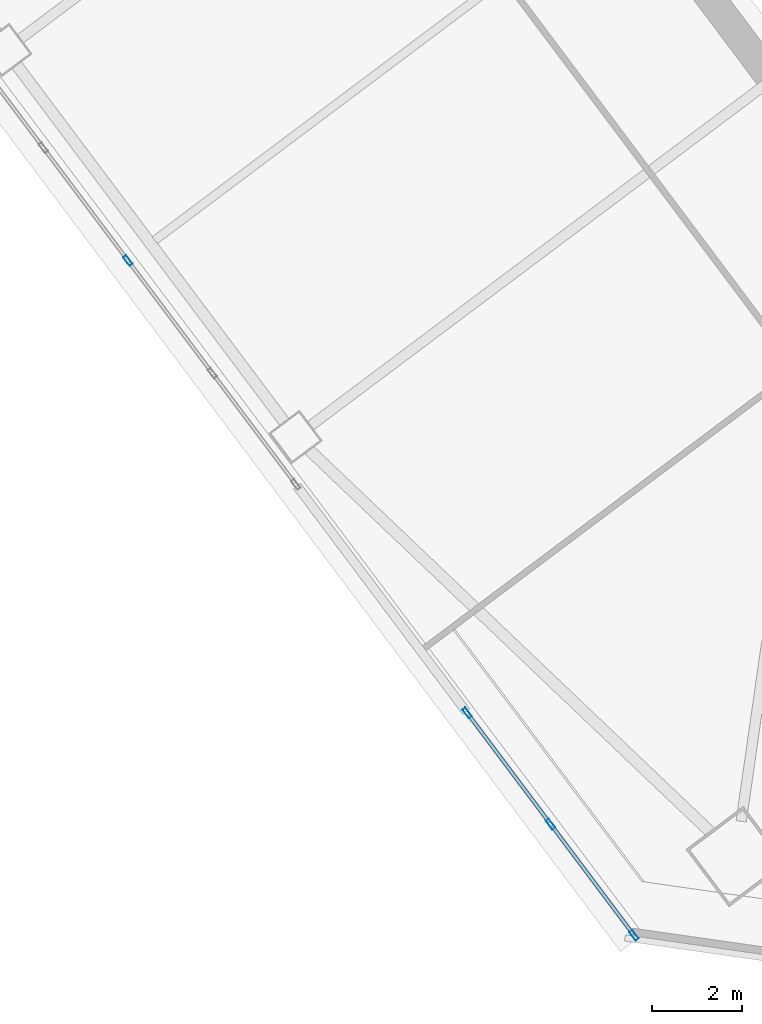
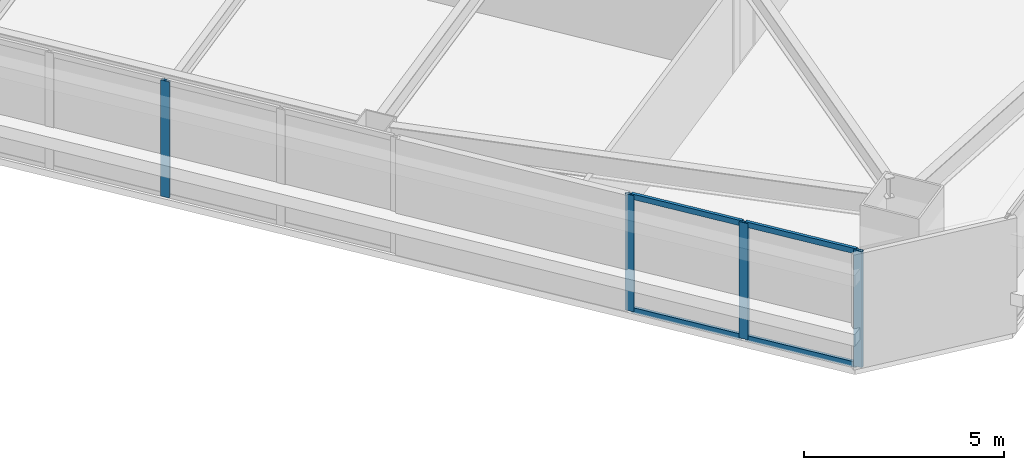
# One storey, part 18 of 47: 8 members, 2 elements without a shape of their own.
"""IFC4 building model written with IfcOpenShell, lengths in metres."""

from ifc_helpers import new_model, si_unit, direction, frame, origin, origin_2d, place, context, subcontext, project, spatial, hollow_rectangle, extrude, material, material_profile, profile_set, type_object, element, aggregate, save


model = new_model("IFC4")

# Units and contexts
model_context = context("Model", 3, precision=1e-05, world=origin(), true_north=direction((0.0, 1.0)))
body_context = subcontext(model_context, "Body", "Model", "MODEL_VIEW")
ifc_project = project(units=[si_unit("LENGTHUNIT", "METRE"), si_unit("AREAUNIT", "SQUARE_METRE"), si_unit("VOLUMEUNIT", "CUBIC_METRE"), si_unit("PLANEANGLEUNIT", "RADIAN"), si_unit("MASSUNIT", "GRAM", prefix="KILO")], contexts=[model_context])

# Site, building, storey
site_placement = place(None, origin())
site = spatial("IfcSite", under=ifc_project, at=site_placement, CompositionType="ELEMENT")
building_placement = place(site_placement, origin())
building = spatial("IfcBuilding", under=site, at=building_placement, Name="Tashvorn Skyway Center", CompositionType="ELEMENT")
storey_placement = place(building_placement, frame((0.0, 0.0, 42.35009765625)))
storey = spatial("IfcBuildingStorey", under=building, at=storey_placement, Name="L10", CompositionType="ELEMENT", Elevation=42.35009765625)

# Curtain wall, members
ifc_material = material(Name="Thermally broken bronze-anodized aluminium 6063-T6", Category="aluminium")
curtain_wall_type = type_object("IfcCurtainWallType", Name="CW-CW-Z1", PredefinedType="NOTDEFINED", material=ifc_material)
curtain_wall_1_placement = place(storey_placement, origin())
curtain_wall_1 = element("IfcCurtainWall", 1, at=curtain_wall_1_placement, inside=storey, type_object=curtain_wall_type, Name="Tower 2 L10 West Unitised Curtain Wall Glazing Group 1", PredefinedType="NOTDEFINED")
ifc_material_profile_1 = material_profile(ifc_material, hollow_rectangle(XDim=0.0849609375, YDim=0.239990234375, WallThickness=0.0048828125, at=origin_2d()), Name="ALU-MULL-85x240")
ifc_profile_set_1 = profile_set([ifc_material_profile_1], Name="Thermally broken bronze-anodized aluminium 6063-T6")
member_type_1 = type_object("IfcMemberType", Name="CWM-CW-Z1", PredefinedType="MULLION", material=ifc_profile_set_1)
member_1_placement = place(storey_placement, frame((107.95849609375, 3.922119140625, 0.0), z_axis=(0.0, 0.0, 1.0), x_axis=(-0.800001906763, -0.599997457641, 0.0)))
member_1 = element("IfcMember", 2, at=member_1_placement, type_object=member_type_1, Name="CW-Z1 mullion 1", PredefinedType="MULLION", context=body_context, shape_type="SweptSolid", body=[
    extrude(hollow_rectangle(XDim=0.0849609375, YDim=0.239990234375, WallThickness=0.0048828125, at=origin_2d()), origin(), (0.0, 0.0, 1.0), 3.5498046875),
])
member_2_placement = place(storey_placement, frame((106.095947265625, 6.4052734375, 0.0), z_axis=(0.0, 0.0, 1.0), x_axis=(-0.800001906763, -0.599997457641, 0.0)))
member_2 = element("IfcMember", 3, at=member_2_placement, type_object=member_type_1, Name="CW-Z1 mullion 2", PredefinedType="MULLION", context=body_context, shape_type="SweptSolid", body=[
    extrude(hollow_rectangle(XDim=0.0849609375, YDim=0.239990234375, WallThickness=0.0048828125, at=origin_2d()), origin(), (0.0, 0.0, 1.0), 3.5498046875),
])
member_3_placement = place(storey_placement, frame((104.2333984375, 8.888671875, 0.0), z_axis=(0.0, 0.0, 1.0), x_axis=(-0.800001906763, -0.599997457641, 0.0)))
member_3 = element("IfcMember", 4, at=member_3_placement, type_object=member_type_1, Name="CW-Z1 mullion 3", PredefinedType="MULLION", context=body_context, shape_type="SweptSolid", body=[
    extrude(hollow_rectangle(XDim=0.0849609375, YDim=0.239990234375, WallThickness=0.0048828125, at=origin_2d()), origin(), (0.0, 0.0, 1.0), 3.5498046875),
])

# Curtain wall, member
curtain_wall_2_placement = place(storey_placement, origin())
curtain_wall_2 = element("IfcCurtainWall", 5, at=curtain_wall_2_placement, inside=storey, type_object=curtain_wall_type, Name="Tower 2 L10 West Unitised Curtain Wall Glazing Group 2", PredefinedType="NOTDEFINED")
member_4_placement = place(storey_placement, frame((96.656005859375, 18.991943359375, 0.0), z_axis=(0.0, 0.0, 1.0), x_axis=(-0.800001906763, -0.599997457641, 0.0)))
member_4 = element("IfcMember", 6, at=member_4_placement, type_object=member_type_1, Name="CW-Z1 mullion 3", PredefinedType="MULLION", context=body_context, shape_type="SweptSolid", body=[
    extrude(hollow_rectangle(XDim=0.0849609375, YDim=0.239990234375, WallThickness=0.0048828125, at=origin_2d()), origin(), (0.0, 0.0, 1.0), 3.5498046875),
])
aggregate(curtain_wall_2, [member_4])

# Member
ifc_material_profile_2 = material_profile(ifc_material, hollow_rectangle(XDim=0.0849609375, YDim=0.1650390625, WallThickness=0.0048828125, at=origin_2d()), Name="ALU-TRAN-85x165")
ifc_profile_set_2 = profile_set([ifc_material_profile_2], Name="Thermally broken bronze-anodized aluminium 6063-T6")
member_type_2 = type_object("IfcMemberType", Name="CWT-CW-Z1", PredefinedType="USERDEFINED", material=ifc_profile_set_2)
member_5_placement = place(storey_placement, frame((107.93310546875, 3.9560546875, 0.04248046875), z_axis=(-0.600012938206, 0.799990296182, 0.0), x_axis=(-0.799990296182, -0.600012938206, 0.0)))
member_5 = element("IfcMember", 7, at=member_5_placement, type_object=member_type_2, Name="CW-Z1 transom 1.1", ObjectType="TRANSOM", PredefinedType="USERDEFINED", context=body_context, shape_type="SweptSolid", body=[
    extrude(hollow_rectangle(XDim=0.0849609375, YDim=0.1650390625, WallThickness=0.0048828125, at=origin_2d()), origin(), (0.0, 0.0, 1.0), 3.01904296875),
])

member_6_placement = place(storey_placement, frame((107.93310546875, 3.9560546875, 3.50732421875), z_axis=(-0.600012938206, 0.799990296182, 0.0), x_axis=(-0.799990296182, -0.600012938206, 0.0)))
member_6 = element("IfcMember", 8, at=member_6_placement, type_object=member_type_2, Name="CW-Z1 transom 1.2", ObjectType="TRANSOM", PredefinedType="USERDEFINED", context=body_context, shape_type="SweptSolid", body=[
    extrude(hollow_rectangle(XDim=0.0849609375, YDim=0.1650390625, WallThickness=0.0048828125, at=origin_2d()), origin(), (0.0, 0.0, 1.0), 3.01904296875),
])

member_7_placement = place(storey_placement, frame((106.070556640625, 6.439453125, 0.04248046875), z_axis=(-0.600012938206, 0.799990296182, 0.0), x_axis=(-0.799990296182, -0.600012938206, 0.0)))
member_7 = element("IfcMember", 9, at=member_7_placement, type_object=member_type_2, Name="CW-Z1 transom 2.1", ObjectType="TRANSOM", PredefinedType="USERDEFINED", context=body_context, shape_type="SweptSolid", body=[
    extrude(hollow_rectangle(XDim=0.0849609375, YDim=0.1650390625, WallThickness=0.0048828125, at=origin_2d()), origin(), (0.0, 0.0, 1.0), 3.01904296875),
])

member_8_placement = place(storey_placement, frame((106.070556640625, 6.439453125, 3.50732421875), z_axis=(-0.600012938206, 0.799990296182, 0.0), x_axis=(-0.799990296182, -0.600012938206, 0.0)))
member_8 = element("IfcMember", 10, at=member_8_placement, type_object=member_type_2, Name="CW-Z1 transom 2.2", ObjectType="TRANSOM", PredefinedType="USERDEFINED", context=body_context, shape_type="SweptSolid", body=[
    extrude(hollow_rectangle(XDim=0.0849609375, YDim=0.1650390625, WallThickness=0.0048828125, at=origin_2d()), origin(), (0.0, 0.0, 1.0), 3.01904296875),
])

aggregate(curtain_wall_1, [member_1, member_2, member_3, member_5, member_6, member_7, member_8])

save(model, "model.ifc")
